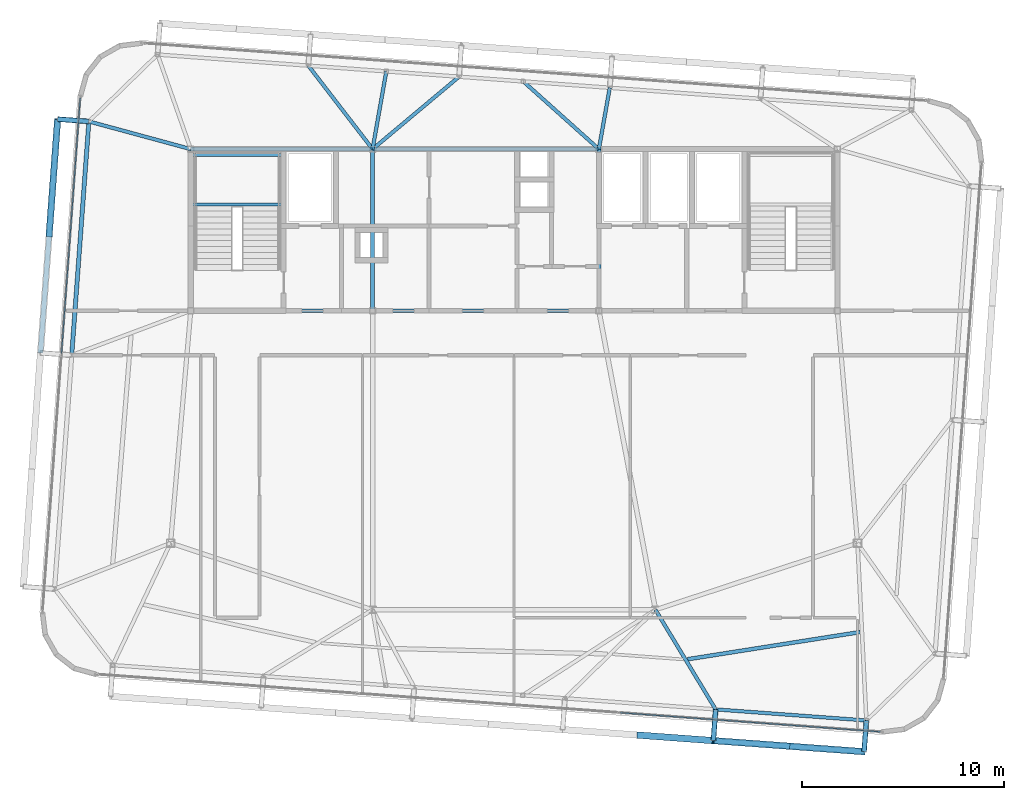
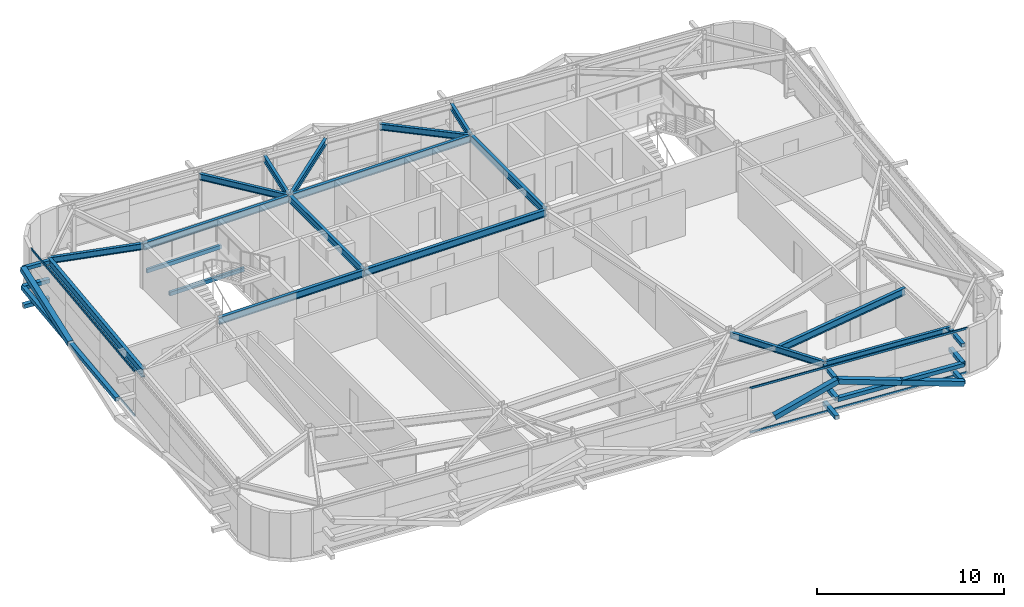
# One storey, part 14 of 34: 19 members, 18 beams, 2 elements without a shape of their own.
"""IFC4 building model written with IfcOpenShell, lengths in metres."""

from ifc_helpers import new_model, si_unit, direction, frame, origin, origin_2d, place, context, subcontext, project, spatial, hollow_rectangle, i_section, extrude, source, transform, mapped, material, layer, layer_set, material_profile, profile_set, type_object, element, aggregate, save


model = new_model("IFC4")

# Units and contexts
model_context = context("Model", 3, precision=1e-05, world=origin(), true_north=direction((0.0, 1.0)))
body_context = subcontext(model_context, "Body", "Model", "MODEL_VIEW")
ifc_project = project(units=[si_unit("LENGTHUNIT", "METRE"), si_unit("AREAUNIT", "SQUARE_METRE"), si_unit("VOLUMEUNIT", "CUBIC_METRE"), si_unit("PLANEANGLEUNIT", "RADIAN"), si_unit("MASSUNIT", "GRAM", prefix="KILO")], contexts=[model_context])

# Site, building, storey
site_placement = place(None, origin())
site = spatial("IfcSite", under=ifc_project, at=site_placement, CompositionType="ELEMENT")
building_placement = place(site_placement, origin())
building = spatial("IfcBuilding", under=site, at=building_placement, Name="Taldren Reach Tower", CompositionType="ELEMENT")
storey_placement = place(building_placement, frame((0.0, 0.0, 246.050048828125)))
storey = spatial("IfcBuildingStorey", under=building, at=storey_placement, Name="L75", CompositionType="ELEMENT", Elevation=246.050048828125)

# Beams
ifc_material_1 = material(Name="Steel Gr 350 (350PLUS)", Category="steel")
ifc_material_profile_1 = material_profile(ifc_material_1, i_section(OverallWidth=0.19091796875, OverallDepth=0.4599609375, WebThickness=0.010009765625, FlangeThickness=0.01611328125, at=origin_2d()), Name="460UB82.1")
ifc_profile_set_1 = profile_set([ifc_material_profile_1], Name="Steel Gr 350 (350PLUS)")
beam_type_1 = type_object("IfcBeamType", Name="BM-UB460A", PredefinedType="BEAM", material=ifc_profile_set_1)
shared_shape_1 = source(origin(), body_context, "Body", "SweptSolid", [
    extrude(i_section(OverallWidth=0.19091796875, OverallDepth=0.4599609375, WebThickness=0.010009765625, FlangeThickness=0.01611328125, at=origin_2d()), origin(), (0.0, 0.0, 1.0), 9.0),
])
for number, where, z_axis, x_axis, name in (
    (1, (19.0, 24.0, 2.699951171875), (1.0, 0.0, 0.0), (0.0, 1.0, 0.0), "Core-spine girder L75-SP01"),
    (2, (19.0, 32.0, 2.699951171875), (1.0, 0.0, 0.0), (0.0, 1.0, 0.0), "Core-spine girder L75-SP04"),
):
    element("IfcBeam", number, at=place(storey_placement, frame(where, z_axis=z_axis, x_axis=x_axis)), inside=storey, type_object=beam_type_1, Name=name, PredefinedType="BEAM", context=body_context, shape_type="MappedRepresentation", body=[
        mapped(shared_shape_1, transform((0.0, 0.0, 0.0), scale=1.0)),
    ])
shared_shape_2 = source(origin(), body_context, "Body", "SweptSolid", [
    extrude(i_section(OverallWidth=0.19091796875, OverallDepth=0.4599609375, WebThickness=0.010009765625, FlangeThickness=0.01611328125, at=origin_2d()), origin(), (0.0, 0.0, 1.0), 11.199951171875),
])
for number, where, z_axis, x_axis, name in (
    (3, (28.0, 24.0, 2.699951171875), (1.0, 0.0, 0.0), (0.0, 1.0, 0.0), "Core-spine girder L75-SP02"),
    (4, (28.0, 32.0, 2.699951171875), (1.0, 0.0, 0.0), (0.0, 1.0, 0.0), "Core-spine girder L75-SP05"),
):
    element("IfcBeam", number, at=place(storey_placement, frame(where, z_axis=z_axis, x_axis=x_axis)), inside=storey, type_object=beam_type_1, Name=name, PredefinedType="BEAM", context=body_context, shape_type="MappedRepresentation", body=[
        mapped(shared_shape_2, transform((0.0, 0.0, 0.0), scale=1.0)),
    ])
shared_shape_3 = source(origin(), body_context, "Body", "SweptSolid", [
    extrude(i_section(OverallWidth=0.19091796875, OverallDepth=0.4599609375, WebThickness=0.010009765625, FlangeThickness=0.01611328125, at=origin_2d()), origin(), (0.0, 0.0, 1.0), 8.0),
])
for number, where, z_axis, x_axis, name in (
    (5, (28.0, 24.0, 2.699951171875), (0.0, 1.0, 0.0), (-1.0, 0.0, 0.0), "Core-spine girder L75-SP07"),
    (6, (39.199951171875, 24.0, 2.699951171875), (0.0, 1.0, 0.0), (-1.0, 0.0, 0.0), "Core-spine girder L75-SP08"),
):
    element("IfcBeam", number, at=place(storey_placement, frame(where, z_axis=z_axis, x_axis=x_axis)), inside=storey, type_object=beam_type_1, Name=name, PredefinedType="BEAM", context=body_context, shape_type="MappedRepresentation", body=[
        mapped(shared_shape_3, transform((0.0, 0.0, 0.0), scale=1.0)),
    ])

# Members
ifc_material_2 = material(Name="Steel Gr 350 (C350L0)", Category="steel")
ifc_material_profile_2 = material_profile(ifc_material_2, hollow_rectangle(XDim=0.25, YDim=0.25, WallThickness=0.010009765625, at=origin_2d()), Name="250x250x10.0SHS")
ifc_profile_set_2 = profile_set([ifc_material_profile_2], Name="Steel Gr 350 (C350L0)")
member_type_1 = type_object("IfcMemberType", Name="MB-POST250", PredefinedType="POST", material=ifc_profile_set_2)
shared_shape_4 = source(origin(), body_context, "Body", "SweptSolid", [
    extrude(hollow_rectangle(XDim=0.25, YDim=0.25, WallThickness=0.010009765625, at=origin_2d()), origin(), (0.0, 0.0, 1.0), 1.550048828125),
])
for number, where, z_axis, x_axis, name in (
    (7, (44.980224609375, 4.26904296875, 0.219970703125), (-0.07323929162, -0.997314396849, 0.0), (0.997314396849, -0.07323929162, 0.0), "Exoskeleton base diaphragm tie strut B5-S5 L75"),
    (8, (52.440185546875, 3.72119140625, 0.219970703125), (-0.07323929162, -0.997314396849, 0.0), (0.997314396849, -0.07323929162, 0.0), "Exoskeleton base diaphragm tie strut B5-S6 L75"),
    (9, (44.980224609375, 4.26904296875, 1.43505859375), (-0.07323929162, -0.997314396849, 0.0), (0.997314396849, -0.07323929162, 0.0), "Exoskeleton mid-tier diaphragm tie B5-S5 L75"),
    (10, (52.440185546875, 3.72119140625, 1.43505859375), (-0.07323929162, -0.997314396849, 0.0), (0.997314396849, -0.07323929162, 0.0), "Exoskeleton mid-tier diaphragm tie B5-S6 L75"),
):
    element("IfcMember", number, at=place(storey_placement, frame(where, z_axis=z_axis, x_axis=x_axis)), inside=storey, type_object=member_type_1, Name=name, PredefinedType="POST", context=body_context, shape_type="MappedRepresentation", body=[
        mapped(shared_shape_4, transform((0.0, 0.0, 0.0), scale=1.0)),
    ])
ifc_material_3 = material(Name="Steel Gr 450 (C450L0)", Category="steel")
ifc_material_profile_3 = material_profile(ifc_material_3, hollow_rectangle(XDim=0.219970703125, YDim=0.219970703125, WallThickness=0.00830078125, at=origin_2d()), Name="220x220x8.2SHS")
ifc_profile_set_3 = profile_set([ifc_material_profile_3], Name="Steel Gr 450 (C450L0)")
member_type_2 = type_object("IfcMemberType", Name="MB-TIE219", PredefinedType="STRUT", material=ifc_profile_set_3)
shared_shape_5 = source(origin(), body_context, "Body", "SweptSolid", [
    extrude(hollow_rectangle(XDim=0.219970703125, YDim=0.219970703125, WallThickness=0.00830078125, at=origin_2d()), origin(), (0.0, 0.0, 1.0), 1.550048828125),
])
for number, where, z_axis, x_axis, name in (
    (11, (44.980224609375, 4.26904296875, 2.64990234375), (-0.07323929162, -0.997314396849, 0.0), (0.997314396849, -0.07323929162, 0.0), "Exoskeleton diaphragm tie strut B5-S5 L75"),
    (12, (52.440185546875, 3.72119140625, 2.64990234375), (-0.07323929162, -0.997314396849, 0.0), (0.997314396849, -0.07323929162, 0.0), "Exoskeleton diaphragm tie strut B5-S6 L75"),
):
    element("IfcMember", number, at=place(storey_placement, frame(where, z_axis=z_axis, x_axis=x_axis)), inside=storey, type_object=member_type_2, Name=name, PredefinedType="STRUT", context=body_context, shape_type="MappedRepresentation", body=[
        mapped(shared_shape_5, transform((0.0, 0.0, 0.0), scale=1.0)),
    ])

# Beams
ifc_material_profile_4 = material_profile(ifc_material_1, i_section(OverallWidth=0.172119140625, OverallDepth=0.35888671875, WebThickness=0.008056640625, FlangeThickness=0.012939453125, at=origin_2d()), Name="360UB56.7")
ifc_profile_set_4 = profile_set([ifc_material_profile_4], Name="Steel Gr 350 (350PLUS)")
beam_type_2 = type_object("IfcBeamType", Name="SP-UB360", PredefinedType="SPANDREL", material=ifc_profile_set_4)
shared_shape_6 = source(origin(), body_context, "Body", "SweptSolid", [
    extrude(i_section(OverallWidth=0.172119140625, OverallDepth=0.35888671875, WebThickness=0.008056640625, FlangeThickness=0.012939453125, at=origin_2d()), origin(), (0.0, 0.0, 1.0), 7.47998046875),
])
beam_1_placement = place(storey_placement, frame((44.980224609375, 4.26904296875, 2.75048828125), z_axis=(0.997314220642, -0.07324169103, 0.0), x_axis=(0.07324169103, 0.997314220642, 0.0)))
element("IfcBeam", 13, at=beam_1_placement, inside=storey, type_object=beam_type_2, Name="Perimeter spandrel B5 S5-S6 L75", PredefinedType="SPANDREL", context=body_context, shape_type="MappedRepresentation", body=[
    mapped(shared_shape_6, transform((0.0, 0.0, 0.0), scale=1.0)),
])
ifc_material_profile_5 = material_profile(ifc_material_1, i_section(OverallWidth=0.208984375, OverallDepth=0.528076171875, WebThickness=0.009521484375, FlangeThickness=0.01318359375, at=origin_2d()), Name="530UB82.0")
ifc_profile_set_5 = profile_set([ifc_material_profile_5], Name="Steel Gr 350 (350PLUS)")
beam_type_3 = type_object("IfcBeamType", Name="SP-UB530B", PredefinedType="SPANDREL", material=ifc_profile_set_5)
shared_shape_7 = source(origin(), body_context, "Body", "SweptSolid", [
    extrude(i_section(OverallWidth=0.208984375, OverallDepth=0.528076171875, WebThickness=0.009521484375, FlangeThickness=0.01318359375, at=origin_2d()), origin(), (0.0, 0.0, 1.0), 11.60009765625),
])
beam_2_placement = place(storey_placement, frame((13.958251953125, 33.369140625, 2.666015625), z_axis=(-0.073242167855, -0.997314185625, 0.0), x_axis=(0.997314185625, -0.073242167855, 0.0)))
element("IfcBeam", 14, at=beam_2_placement, inside=storey, type_object=beam_type_3, Name="Perimeter spandrel B5 W3-W2 L75", PredefinedType="SPANDREL", context=body_context, shape_type="MappedRepresentation", body=[
    mapped(shared_shape_7, transform((0.0, 0.0, 0.0), scale=1.0)),
])
ifc_material_profile_6 = material_profile(ifc_material_1, i_section(OverallWidth=0.177978515625, OverallDepth=0.406005859375, WebThickness=0.0078125, FlangeThickness=0.0126953125, at=origin_2d()), Name="410UB59.7")
ifc_profile_set_6 = profile_set([ifc_material_profile_6], Name="Steel Gr 350 (350PLUS)")
beam_type_4 = type_object("IfcBeamType", Name="BM-UB410", PredefinedType="BEAM", material=ifc_profile_set_6)
shared_shape_8 = source(origin(), body_context, "Body", "SweptSolid", [
    extrude(i_section(OverallWidth=0.177978515625, OverallDepth=0.406005859375, WebThickness=0.0078125, FlangeThickness=0.0126953125, at=origin_2d()), origin(), (0.0, 0.0, 1.0), 5.761474609375),
])
beam_3_placement = place(storey_placement, frame((42.0, 9.199951171875, 2.72705078125), z_axis=(0.517259852514, -0.855828396922, 0.0), x_axis=(0.855828396922, 0.517259852514, 0.0)))
element("IfcBeam", 15, at=beam_3_placement, inside=storey, type_object=beam_type_4, Name="Primary floor girder B5-S5 L75", PredefinedType="BEAM", context=body_context, shape_type="MappedRepresentation", body=[
    mapped(shared_shape_8, transform((0.0, 0.0, 0.0), scale=1.0)),
])
shared_shape_9 = source(origin(), body_context, "Body", "SweptSolid", [
    extrude(i_section(OverallWidth=0.177978515625, OverallDepth=0.406005859375, WebThickness=0.0078125, FlangeThickness=0.0126953125, at=origin_2d()), origin(), (0.0, 0.0, 1.0), 3.0830078125),
])
beam_4_placement = place(storey_placement, frame((39.199951171875, 32.0, 2.72705078125), z_axis=(0.17500945263, 0.984566753191, 0.0), x_axis=(-0.984566753191, 0.17500945263, 0.0)))
element("IfcBeam", 16, at=beam_4_placement, inside=storey, type_object=beam_type_4, Name="Primary floor girder B5-N4 L75", PredefinedType="BEAM", context=body_context, shape_type="MappedRepresentation", body=[
    mapped(shared_shape_9, transform((0.0, 0.0, 0.0), scale=1.0)),
])
shared_shape_10 = source(origin(), body_context, "Body", "SweptSolid", [
    extrude(i_section(OverallWidth=0.177978515625, OverallDepth=0.406005859375, WebThickness=0.0078125, FlangeThickness=0.0126953125, at=origin_2d()), origin(), (0.0, 0.0, 1.0), 5.02001953125),
])
beam_5_placement = place(storey_placement, frame((39.199951171875, 32.0, 2.72705078125), z_axis=(-0.744827782377, 0.667256753132, 0.0), x_axis=(-0.667256753132, -0.744827782377, 0.0)))
element("IfcBeam", 17, at=beam_5_placement, inside=storey, type_object=beam_type_4, Name="Primary floor girder B5-PJN2 L75", PredefinedType="BEAM", context=body_context, shape_type="MappedRepresentation", body=[
    mapped(shared_shape_10, transform((0.0, 0.0, 0.0), scale=1.0)),
])
shared_shape_11 = source(origin(), body_context, "Body", "SweptSolid", [
    extrude(i_section(OverallWidth=0.177978515625, OverallDepth=0.406005859375, WebThickness=0.0078125, FlangeThickness=0.0126953125, at=origin_2d()), origin(), (0.0, 0.0, 1.0), 5.58154296875),
])
beam_6_placement = place(storey_placement, frame((28.0, 32.0, 2.72705078125), z_axis=(0.766724126108, 0.641976724222, 0.0), x_axis=(-0.641976724222, 0.766724126108, 0.0)))
element("IfcBeam", 18, at=beam_6_placement, inside=storey, type_object=beam_type_4, Name="Primary floor girder B5-N3 L75", PredefinedType="BEAM", context=body_context, shape_type="MappedRepresentation", body=[
    mapped(shared_shape_11, transform((0.0, 0.0, 0.0), scale=1.0)),
])
shared_shape_12 = source(origin(), body_context, "Body", "SweptSolid", [
    extrude(i_section(OverallWidth=0.177978515625, OverallDepth=0.406005859375, WebThickness=0.0078125, FlangeThickness=0.0126953125, at=origin_2d()), origin(), (0.0, 0.0, 1.0), 3.9072265625),
])
beam_7_placement = place(storey_placement, frame((28.0, 32.0, 2.72705078125), z_axis=(0.173835238379, 0.984774750843, 0.0), x_axis=(-0.984774750843, 0.173835238379, 0.0)))
element("IfcBeam", 19, at=beam_7_placement, inside=storey, type_object=beam_type_4, Name="Primary floor girder B5-PJN1 L75", PredefinedType="BEAM", context=body_context, shape_type="MappedRepresentation", body=[
    mapped(shared_shape_12, transform((0.0, 0.0, 0.0), scale=1.0)),
])
shared_shape_13 = source(origin(), body_context, "Body", "SweptSolid", [
    extrude(i_section(OverallWidth=0.177978515625, OverallDepth=0.406005859375, WebThickness=0.0078125, FlangeThickness=0.0126953125, at=origin_2d()), origin(), (0.0, 0.0, 1.0), 5.213623046875),
])
beam_8_placement = place(storey_placement, frame((28.0, 32.0, 2.72705078125), z_axis=(-0.61002980411, 0.792378468976, 0.0), x_axis=(-0.792378468976, -0.61002980411, 0.0)))
element("IfcBeam", 20, at=beam_8_placement, inside=storey, type_object=beam_type_4, Name="Primary floor girder B5-N2 L75", PredefinedType="BEAM", context=body_context, shape_type="MappedRepresentation", body=[
    mapped(shared_shape_13, transform((0.0, 0.0, 0.0), scale=1.0)),
])
shared_shape_14 = source(origin(), body_context, "Body", "SweptSolid", [
    extrude(i_section(OverallWidth=0.177978515625, OverallDepth=0.406005859375, WebThickness=0.0078125, FlangeThickness=0.0126953125, at=origin_2d()), origin(), (0.0, 0.0, 1.0), 5.224365234375),
])
beam_9_placement = place(storey_placement, frame((19.0, 32.0, 2.72705078125), z_axis=(-0.965049032336, 0.262069390022, 0.0), x_axis=(-0.262069390022, -0.965049032336, 0.0)))
element("IfcBeam", 21, at=beam_9_placement, inside=storey, type_object=beam_type_4, Name="Primary floor girder B5-W3 L75", PredefinedType="BEAM", context=body_context, shape_type="MappedRepresentation", body=[
    mapped(shared_shape_14, transform((0.0, 0.0, 0.0), scale=1.0)),
])
shared_shape_15 = source(origin(), body_context, "Body", "SweptSolid", [
    extrude(i_section(OverallWidth=0.19091796875, OverallDepth=0.4599609375, WebThickness=0.010009765625, FlangeThickness=0.01611328125, at=origin_2d()), origin(), (0.0, 0.0, 1.0), 8.65185546875),
])
beam_10_placement = place(storey_placement, frame((43.585205078125, 6.74951171875, 2.699951171875), z_axis=(0.987803200413, 0.155707537562, 0.0), x_axis=(-0.155707537562, 0.987803200413, 0.0)))
element("IfcBeam", 22, at=beam_10_placement, inside=storey, type_object=beam_type_1, Name="Secondary floor beam B5 J5 L75", PredefinedType="BEAM", context=body_context, shape_type="MappedRepresentation", body=[
    mapped(shared_shape_15, transform((0.0, 0.0, 0.0), scale=1.0)),
])

# Members
shared_shape_16 = source(origin(), body_context, "Body", "SweptSolid", [
    extrude(hollow_rectangle(XDim=0.219970703125, YDim=0.219970703125, WallThickness=0.00830078125, at=origin_2d()), origin(), (0.0, 0.0, 1.0), 1.5458984375),
])
member_1_placement = place(storey_placement, frame((13.9541015625, 33.369384765625, 2.64990234375), z_axis=(-0.997311530447, 0.073278313559, 0.0), x_axis=(-0.073278313559, -0.997311530447, 0.0)))
element("IfcMember", 23, at=member_1_placement, inside=storey, type_object=member_type_2, Name="Exoskeleton diaphragm tie strut B5-W3 L75", PredefinedType="STRUT", context=body_context, shape_type="MappedRepresentation", body=[
    mapped(shared_shape_16, transform((0.0, 0.0, 0.0), scale=1.0)),
])
ifc_material_profile_7 = material_profile(ifc_material_3, hollow_rectangle(XDim=0.324951171875, YDim=0.324951171875, WallThickness=0.0126953125, at=origin_2d()), Name="325x325x12.7SHS")
ifc_profile_set_7 = profile_set([ifc_material_profile_7], Name="Steel Gr 450 (C450L0)")
member_type_3 = type_object("IfcMemberType", Name="MB-BR324", PredefinedType="BRACE", material=ifc_profile_set_7)
shared_shape_17 = source(origin(), body_context, "Body", "SweptSolid", [
    extrude(hollow_rectangle(XDim=0.324951171875, YDim=0.324951171875, WallThickness=0.0126953125, at=origin_2d()), origin(), (0.0, 0.0, 1.0), 3.932373046875),
])
for number, where, z_axis, x_axis, name in (
    (24, (41.13671875, 2.9970703125, 1.43505859375), (0.948529326954, -0.06965898055, 0.308933232813), (0.07324169103, 0.997314220642, 0.0), "Exoskeleton Diagrid Brace B5-S4 L75"),
    (25, (52.32666015625, 2.17529296875, 0.219970703125), (-0.948511132845, 0.069657644394, 0.308989390507), (-0.07324169103, -0.997314220642, 0.0), "Exoskeleton Diagrid Brace B5-S5 L75"),
    (26, (48.5966796875, 2.44921875, 1.43505859375), (-0.948529326954, 0.06965898055, 0.308933232813), (-0.07324169103, -0.997314220642, 0.0), "Exoskeleton Diagrid Brace B5-S5 L75"),
):
    element("IfcMember", number, at=place(storey_placement, frame(where, z_axis=z_axis, x_axis=x_axis)), inside=storey, type_object=member_type_3, Name=name, PredefinedType="BRACE", context=body_context, shape_type="MappedRepresentation", body=[
        mapped(shared_shape_17, transform((0.0, 0.0, 0.0), scale=1.0)),
    ])
shared_shape_18 = source(origin(), body_context, "Body", "SweptSolid", [
    extrude(hollow_rectangle(XDim=0.25, YDim=0.25, WallThickness=0.010009765625, at=origin_2d()), origin(), (0.0, 0.0, 1.0), 7.47998046875),
])
member_2_placement = place(storey_placement, frame((44.86669921875, 2.72314453125, 1.43505859375), z_axis=(0.997314220642, -0.07324169103, 0.0), x_axis=(0.07324169103, 0.997314220642, 0.0)))
element("IfcMember", 27, at=member_2_placement, inside=storey, type_object=member_type_1, Name="Exoskeleton mid-height ring chord B5-S5 L75", PredefinedType="POST", context=body_context, shape_type="MappedRepresentation", body=[
    mapped(shared_shape_18, transform((0.0, 0.0, 0.0), scale=1.0)),
])
shared_shape_19 = source(origin(), body_context, "Body", "SweptSolid", [
    extrude(hollow_rectangle(XDim=0.324951171875, YDim=0.324951171875, WallThickness=0.0126953125, at=origin_2d()), origin(), (0.0, 0.0, 1.0), 5.92578125),
])
member_3_placement = place(storey_placement, frame((11.987548828125, 27.6982421875, 1.43505859375), z_axis=(0.071686540919, 0.976131732187, 0.205007027365), x_axis=(-0.997314185625, 0.073242167855, 0.0)))
element("IfcMember", 28, at=member_3_placement, inside=storey, type_object=member_type_3, Name="Exoskeleton Diagrid Brace B5-W2 L75", PredefinedType="BRACE", context=body_context, shape_type="MappedRepresentation", body=[
    mapped(shared_shape_19, transform((0.0, 0.0, 0.0), scale=1.0)),
])
shared_shape_20 = source(origin(), body_context, "Body", "SweptSolid", [
    extrude(hollow_rectangle(XDim=0.25, YDim=0.25, WallThickness=0.010009765625, at=origin_2d()), origin(), (0.0, 0.0, 1.0), 11.60009765625),
])
member_4_placement = place(storey_placement, frame((11.562744140625, 21.913818359375, 1.43505859375), z_axis=(0.073242167855, 0.997314185625, 0.0), x_axis=(-0.997314185625, 0.073242167855, 0.0)))
element("IfcMember", 29, at=member_4_placement, inside=storey, type_object=member_type_1, Name="Exoskeleton mid-height ring chord B5-W2 L75", PredefinedType="POST", context=body_context, shape_type="MappedRepresentation", body=[
    mapped(shared_shape_20, transform((0.0, 0.0, 0.0), scale=1.0)),
])
shared_shape_21 = source(origin(), body_context, "Body", "SweptSolid", [
    extrude(hollow_rectangle(XDim=0.25, YDim=0.25, WallThickness=0.010009765625, at=origin_2d()), origin(), (0.0, 0.0, 1.0), 1.5458984375),
])
for number, where, z_axis, x_axis, name in (
    (30, (13.9541015625, 33.369384765625, 0.219970703125), (-0.997311530447, 0.073278313559, 0.0), (-0.073278313559, -0.997311530447, 0.0), "Exoskeleton base diaphragm tie strut B5-W3 L75"),
    (31, (13.9541015625, 33.369384765625, 1.43505859375), (-0.997311530447, 0.073278313559, 0.0), (-0.073278313559, -0.997311530447, 0.0), "Exoskeleton mid-tier diaphragm tie B5-W3 L75"),
):
    element("IfcMember", number, at=place(storey_placement, frame(where, z_axis=z_axis, x_axis=x_axis)), inside=storey, type_object=member_type_1, Name=name, PredefinedType="POST", context=body_context, shape_type="MappedRepresentation", body=[
        mapped(shared_shape_21, transform((0.0, 0.0, 0.0), scale=1.0)),
    ])

# Curtain wall, members
ifc_material_4 = material(Name="Aluminium and Low-E Glass Unitised System", Category="aluminium")
ifc_layer = layer(ifc_material_4, 0.159912109375)
ifc_layer_set = layer_set([ifc_layer], Name="Aluminium and Low-E Glass Unitised System")
curtain_wall_type = type_object("IfcCurtainWallType", Name="CW-SYS-6", PredefinedType="NOTDEFINED", material=ifc_layer_set)
curtain_wall_1_placement = place(storey_placement, origin())
curtain_wall_1 = element("IfcCurtainWall", 32, at=curtain_wall_1_placement, inside=storey, type_object=curtain_wall_type, Name="Unitised curtain wall CW-L75-S", PredefinedType="NOTDEFINED")
ifc_material_5 = material(Name="Anodised Aluminium 6063-T6", Category="aluminium")
ifc_material_profile_8 = material_profile(ifc_material_5, hollow_rectangle(XDim=0.06005859375, YDim=0.135009765625, WallThickness=0.00341796875, at=origin_2d()), Name="ALU-135x60x3.5RHS")
ifc_profile_set_8 = profile_set([ifc_material_profile_8], Name="Anodised Aluminium 6063-T6")
member_type_4 = type_object("IfcMemberType", Name="CW-TRN-150", PredefinedType="USERDEFINED", material=ifc_profile_set_8)
shared_shape_22 = source(origin(), body_context, "Body", "SweptSolid", [
    extrude(hollow_rectangle(XDim=0.06005859375, YDim=0.135009765625, WallThickness=0.00341796875, at=origin_2d()), origin(), (0.0, 0.0, 1.0), 12.8876953125),
])
member_5_placement = place(storey_placement, frame((40.27294921875, 4.103271484375, 0.030029296875), z_axis=(0.997314588711, -0.073236678949, 0.0), x_axis=(0.073236678949, 0.997314588711, 0.0)))
member_5 = element("IfcMember", 33, at=member_5_placement, type_object=member_type_4, Name="CW-6 transom 3.1", ObjectType="TRANSOM", PredefinedType="USERDEFINED", context=body_context, shape_type="MappedRepresentation", body=[
    mapped(shared_shape_22, transform((0.0, 0.0, 0.0), scale=1.0)),
])
member_6_placement = place(storey_placement, frame((40.27294921875, 4.103271484375, 2.89990234375), z_axis=(0.997314588711, -0.073236678949, 0.0), x_axis=(0.073236678949, 0.997314588711, 0.0)))
member_6 = element("IfcMember", 34, at=member_6_placement, type_object=member_type_4, Name="CW-6 transom 3.2", ObjectType="TRANSOM", PredefinedType="USERDEFINED", context=body_context, shape_type="MappedRepresentation", body=[
    mapped(shared_shape_22, transform((0.0, 0.0, 0.0), scale=1.0)),
])
aggregate(curtain_wall_1, [member_5, member_6])

curtain_wall_2_placement = place(storey_placement, origin())
curtain_wall_2 = element("IfcCurtainWall", 35, at=curtain_wall_2_placement, inside=storey, type_object=curtain_wall_type, Name="Unitised curtain wall CW-L75-W", PredefinedType="NOTDEFINED")
shared_shape_23 = source(origin(), body_context, "Body", "SweptSolid", [
    extrude(hollow_rectangle(XDim=0.06005859375, YDim=0.135009765625, WallThickness=0.00341796875, at=origin_2d()), origin(), (0.0, 0.0, 1.0), 12.6875),
])
member_7_placement = place(storey_placement, frame((13.531982421875, 34.5283203125, 0.030029296875), z_axis=(-0.073237997916, -0.997314491854, 0.0), x_axis=(0.997314491854, -0.073237997916, 0.0)))
member_7 = element("IfcMember", 36, at=member_7_placement, type_object=member_type_4, Name="CW-6 transom 1.1", ObjectType="TRANSOM", PredefinedType="USERDEFINED", context=body_context, shape_type="MappedRepresentation", body=[
    mapped(shared_shape_23, transform((0.0, 0.0, 0.0), scale=1.0)),
])
member_8_placement = place(storey_placement, frame((13.531982421875, 34.5283203125, 2.89990234375), z_axis=(-0.073237997916, -0.997314491854, 0.0), x_axis=(0.997314491854, -0.073237997916, 0.0)))
member_8 = element("IfcMember", 37, at=member_8_placement, type_object=member_type_4, Name="CW-6 transom 1.2", ObjectType="TRANSOM", PredefinedType="USERDEFINED", context=body_context, shape_type="MappedRepresentation", body=[
    mapped(shared_shape_23, transform((0.0, 0.0, 0.0), scale=1.0)),
])
aggregate(curtain_wall_2, [member_7, member_8])

# Beams
ifc_material_profile_9 = material_profile(ifc_material_2, hollow_rectangle(XDim=0.14990234375, YDim=0.25, WallThickness=0.009033203125, at=origin_2d()), Name="250x150x9.0RHS")
ifc_profile_set_9 = profile_set([ifc_material_profile_9], Name="Steel Gr 350 (C350L0)")
beam_type_5 = type_object("IfcBeamType", Name="LN-RHS250", PredefinedType="LINTEL", material=ifc_profile_set_9)
shared_shape_24 = source(origin(), body_context, "Body", "SweptSolid", [
    extrude(hollow_rectangle(XDim=0.14990234375, YDim=0.25, WallThickness=0.009033203125, at=origin_2d()), origin(), (0.0, 0.0, 1.0), 4.60009765625),
])
for number, where, z_axis, x_axis, name in (
    (38, (19.0, 29.2548828125, 1.27001953125), (1.0, 0.0, 0.0), (0.0, 1.0, 0.0), "Stair half-landing support beam ST1-L75-1"),
    (39, (19.0, 31.699951171875, 1.27001953125), (1.0, 0.0, 0.0), (0.0, 1.0, 0.0), "Stair half-landing support beam ST1-L75-2"),
):
    element("IfcBeam", number, at=place(storey_placement, frame(where, z_axis=z_axis, x_axis=x_axis)), inside=storey, type_object=beam_type_5, Name=name, PredefinedType="LINTEL", context=body_context, shape_type="MappedRepresentation", body=[
        mapped(shared_shape_24, transform((0.0, 0.0, 0.0), scale=1.0)),
    ])

save(model, "model.ifc")
